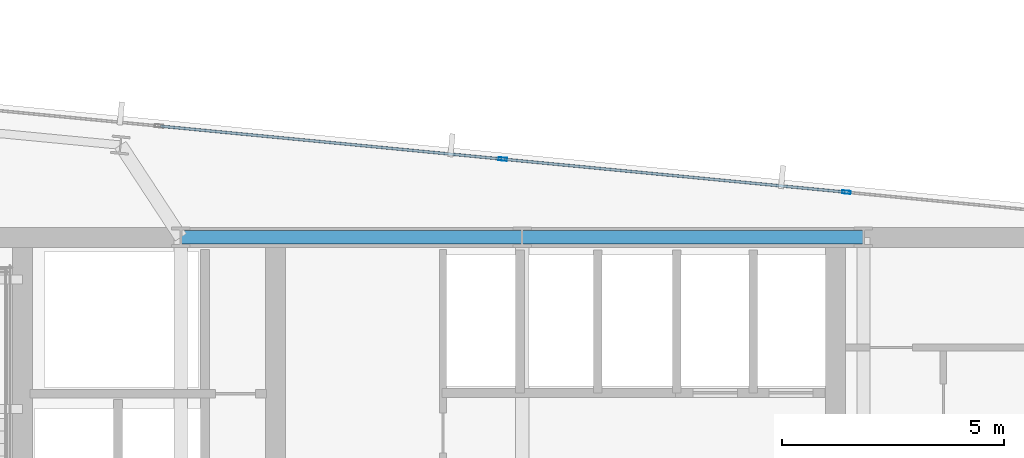
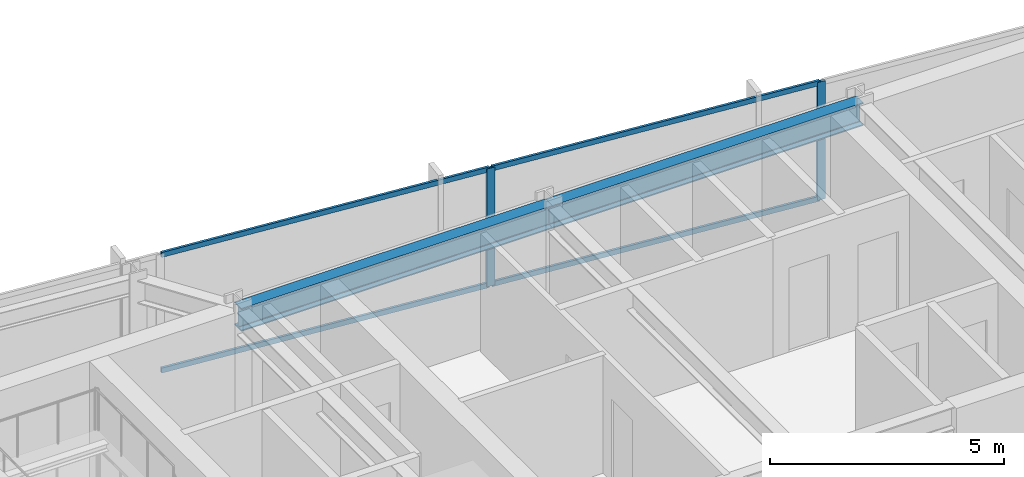
# One storey, part 26 of 37: 6 members, 2 beams, 1 element without a shape of its own.
"""IFC4 building model written with IfcOpenShell, lengths in metres."""

from ifc_helpers import new_model, si_unit, direction, frame, origin, origin_2d, place, context, subcontext, project, spatial, hollow_rectangle, i_section, extrude, material, material_profile, profile_set, type_object, element, aggregate, save


model = new_model("IFC4")

# Units and contexts
model_context = context("Model", 3, precision=1e-05, world=origin(), true_north=direction((0.0, 1.0)))
body_context = subcontext(model_context, "Body", "Model", "MODEL_VIEW")
ifc_project = project(units=[si_unit("LENGTHUNIT", "METRE"), si_unit("AREAUNIT", "SQUARE_METRE"), si_unit("VOLUMEUNIT", "CUBIC_METRE"), si_unit("PLANEANGLEUNIT", "RADIAN"), si_unit("MASSUNIT", "GRAM", prefix="KILO")], contexts=[model_context])

# Site, building, storey
site_placement = place(None, origin())
site = spatial("IfcSite", under=ifc_project, at=site_placement, CompositionType="ELEMENT")
building_placement = place(site_placement, origin())
building = spatial("IfcBuilding", under=site, at=building_placement, Name="Yelkora Congress Tower", CompositionType="ELEMENT")
storey_placement = place(building_placement, frame((0.0, 0.0, 165.5)))
storey = spatial("IfcBuildingStorey", under=building, at=storey_placement, Name="L45", CompositionType="ELEMENT", Elevation=165.5)

# Beams
ifc_material_1 = material(Name="Steel S355J2", Category="steel")
ifc_material_profile_1 = material_profile(ifc_material_1, i_section(OverallWidth=0.300048828125, OverallDepth=0.60009765625, WebThickness=0.015380859375, FlangeThickness=0.030029296875, FilletRadius=0.027099609375, at=origin_2d()), Name="HEB 600")
ifc_profile_set_1 = profile_set([ifc_material_profile_1], Name="Steel S355J2")
beam_type = type_object("IfcBeamType", Name="BM-GIRD-HEB600", PredefinedType="BEAM", material=ifc_profile_set_1)
beam_1_placement = place(storey_placement, frame((30.719970703125, 46.199951171875, 2.780029296875), z_axis=(1.0, 0.0, 0.0), x_axis=(0.0, 1.0, 0.0)))
element("IfcBeam", 1, at=beam_1_placement, inside=storey, type_object=beam_type, Name="L45 Core North Girder 3", PredefinedType="BEAM", context=body_context, shape_type="SweptSolid", body=[
    extrude(i_section(OverallWidth=0.300048828125, OverallDepth=0.60009765625, WebThickness=0.015380859375, FlangeThickness=0.030029296875, FilletRadius=0.027099609375, at=origin_2d()), origin(), (0.0, 0.0, 1.0), 7.679931640625),
])
beam_2_placement = place(storey_placement, frame((38.39990234375, 46.199951171875, 2.780029296875), z_axis=(1.0, 0.0, 0.0), x_axis=(0.0, 1.0, 0.0)))
element("IfcBeam", 2, at=beam_2_placement, inside=storey, type_object=beam_type, Name="L45 Core North Girder 4", PredefinedType="BEAM", context=body_context, shape_type="SweptSolid", body=[
    extrude(i_section(OverallWidth=0.300048828125, OverallDepth=0.60009765625, WebThickness=0.015380859375, FlangeThickness=0.030029296875, FilletRadius=0.027099609375, at=origin_2d()), origin(), (0.0, 0.0, 1.0), 7.68017578125),
])

# Curtain wall, members
ifc_material_2 = material(Name="Anodised aluminium and insulated glass", Category="aluminium")
curtain_wall_type = type_object("IfcCurtainWallType", Name="CW-SYS-B3", PredefinedType="NOTDEFINED", material=ifc_material_2)
curtain_wall_placement = place(storey_placement, origin())
curtain_wall = element("IfcCurtainWall", 3, at=curtain_wall_placement, inside=storey, type_object=curtain_wall_type, Name="L45 Unitised Curtain Wall 10 (1)", PredefinedType="NOTDEFINED")
ifc_material_3 = material(Name="Anodised aluminium 6063-T6", Category="aluminium")
ifc_material_profile_2 = material_profile(ifc_material_3, hollow_rectangle(XDim=0.070068359375, YDim=0.18994140625, WallThickness=0.00390625, at=origin_2d()), Name="ALU 70x190x4")
ifc_profile_set_2 = profile_set([ifc_material_profile_2], Name="Anodised aluminium 6063-T6")
member_type_1 = type_object("IfcMemberType", Name="MEM-ML-B3", PredefinedType="MULLION", material=ifc_profile_set_2)
member_1_placement = place(storey_placement, frame((37.9638671875, 47.958984375, 0.0), z_axis=(0.0, 0.0, 1.0), x_axis=(0.095844761168, 0.995396293823, 0.0)))
member_1 = element("IfcMember", 4, at=member_1_placement, type_object=member_type_1, Name="CW-B3 mullion 5", PredefinedType="MULLION", context=body_context, shape_type="SweptSolid", body=[
    extrude(hollow_rectangle(XDim=0.070068359375, YDim=0.18994140625, WallThickness=0.00390625, at=origin_2d()), origin(), (0.0, 0.0, 1.0), 3.080078125),
])
member_2_placement = place(storey_placement, frame((45.697509765625, 47.21435546875, 0.0), z_axis=(0.0, 0.0, 1.0), x_axis=(0.095844761168, 0.995396293823, 0.0)))
member_2 = element("IfcMember", 5, at=member_2_placement, type_object=member_type_1, Name="CW-B3 mullion 6", PredefinedType="MULLION", context=body_context, shape_type="SweptSolid", body=[
    extrude(hollow_rectangle(XDim=0.070068359375, YDim=0.18994140625, WallThickness=0.00390625, at=origin_2d()), origin(), (0.0, 0.0, 1.0), 3.080078125),
])
ifc_material_profile_3 = material_profile(ifc_material_3, hollow_rectangle(XDim=0.06005859375, YDim=0.1298828125, WallThickness=0.00390625, at=origin_2d()), Name="ALU 60x130x4")
ifc_profile_set_3 = profile_set([ifc_material_profile_3], Name="Anodised aluminium 6063-T6")
member_type_2 = type_object("IfcMemberType", Name="MEM-TR-B3", PredefinedType="USERDEFINED", material=ifc_profile_set_3)
member_3_placement = place(storey_placement, frame((30.26513671875, 48.7001953125, 0.030029296875), z_axis=(0.995398042106, -0.095826602633, 0.0), x_axis=(0.095826602633, 0.995398042106, 0.0)))
member_3 = element("IfcMember", 6, at=member_3_placement, type_object=member_type_2, Name="CW-B3 transom 4.1", ObjectType="TRANSOM", PredefinedType="USERDEFINED", context=body_context, shape_type="SweptSolid", body=[
    extrude(hollow_rectangle(XDim=0.06005859375, YDim=0.1298828125, WallThickness=0.00390625, at=origin_2d()), origin(), (0.0, 0.0, 1.0), 7.69921875),
])
member_4_placement = place(storey_placement, frame((30.26513671875, 48.7001953125, 3.050048828125), z_axis=(0.995398042106, -0.095826602633, 0.0), x_axis=(0.095826602633, 0.995398042106, 0.0)))
member_4 = element("IfcMember", 7, at=member_4_placement, type_object=member_type_2, Name="CW-B3 transom 4.2", ObjectType="TRANSOM", PredefinedType="USERDEFINED", context=body_context, shape_type="SweptSolid", body=[
    extrude(hollow_rectangle(XDim=0.06005859375, YDim=0.1298828125, WallThickness=0.00390625, at=origin_2d()), origin(), (0.0, 0.0, 1.0), 7.69921875),
])
member_5_placement = place(storey_placement, frame((37.998779296875, 47.95556640625, 0.030029296875), z_axis=(0.995398042106, -0.095826602633, 0.0), x_axis=(0.095826602633, 0.995398042106, 0.0)))
member_5 = element("IfcMember", 8, at=member_5_placement, type_object=member_type_2, Name="CW-B3 transom 5.1", ObjectType="TRANSOM", PredefinedType="USERDEFINED", context=body_context, shape_type="SweptSolid", body=[
    extrude(hollow_rectangle(XDim=0.06005859375, YDim=0.1298828125, WallThickness=0.00390625, at=origin_2d()), origin(), (0.0, 0.0, 1.0), 7.69921875),
])
member_6_placement = place(storey_placement, frame((37.998779296875, 47.95556640625, 3.050048828125), z_axis=(0.995398042106, -0.095826602633, 0.0), x_axis=(0.095826602633, 0.995398042106, 0.0)))
member_6 = element("IfcMember", 9, at=member_6_placement, type_object=member_type_2, Name="CW-B3 transom 5.2", ObjectType="TRANSOM", PredefinedType="USERDEFINED", context=body_context, shape_type="SweptSolid", body=[
    extrude(hollow_rectangle(XDim=0.06005859375, YDim=0.1298828125, WallThickness=0.00390625, at=origin_2d()), origin(), (0.0, 0.0, 1.0), 7.69921875),
])
aggregate(curtain_wall, [member_1, member_2, member_3, member_4, member_5, member_6])

save(model, "model.ifc")
